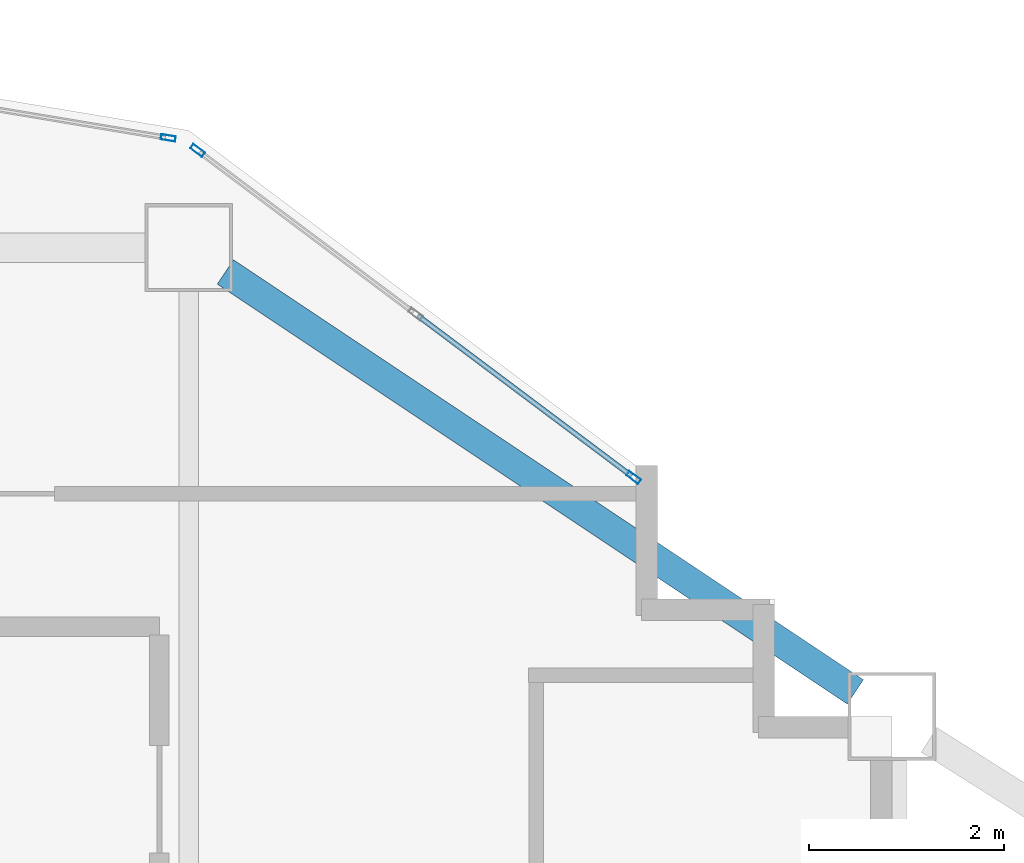
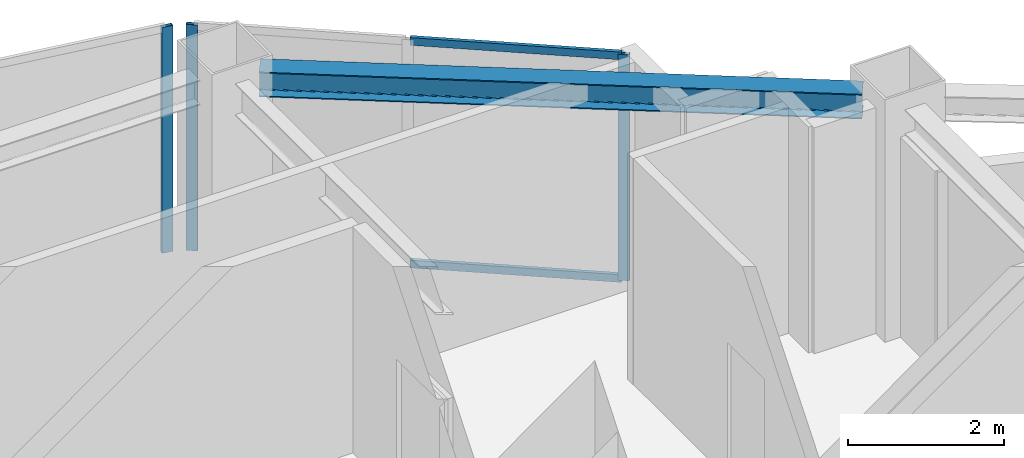
# One storey, part 3 of 11: 5 members, 1 beam, 2 elements without a shape of their own.
"""IFC4 building model written with IfcOpenShell, lengths in metres."""

from ifc_helpers import new_model, si_unit, direction, frame, origin, origin_2d, place, context, subcontext, project, spatial, hollow_rectangle, i_section, extrude, material, layer, layer_set, material_profile, profile_set, type_object, element, aggregate, save


model = new_model("IFC4")

# Units and contexts
model_context = context("Model", 3, precision=1e-05, world=origin(), true_north=direction((0.0, 1.0)))
body_context = subcontext(model_context, "Body", "Model", "MODEL_VIEW")
ifc_project = project(units=[si_unit("LENGTHUNIT", "METRE"), si_unit("AREAUNIT", "SQUARE_METRE"), si_unit("VOLUMEUNIT", "CUBIC_METRE"), si_unit("PLANEANGLEUNIT", "RADIAN"), si_unit("MASSUNIT", "GRAM", prefix="KILO")], contexts=[model_context])

# Site, building, storey
site_placement = place(None, origin())
site = spatial("IfcSite", under=ifc_project, at=site_placement, CompositionType="ELEMENT")
building_placement = place(site_placement, origin())
building = spatial("IfcBuilding", under=site, at=building_placement, Name="Haolan Belvedere Tower", CompositionType="ELEMENT")
storey_placement = place(building_placement, frame((0.0, 0.0, 226.800048828125)))
storey = spatial("IfcBuildingStorey", under=building, at=storey_placement, Name="L57", CompositionType="ELEMENT", Elevation=226.800048828125)

# Beam
ifc_material_1 = material(Name="Steel Q355B", Category="steel")
ifc_material_profile_1 = material_profile(ifc_material_1, i_section(OverallWidth=0.300048828125, OverallDepth=0.389892578125, WebThickness=0.010009765625, FlangeThickness=0.01611328125, FilletRadius=0.02197265625, at=origin_2d()), Name="Steel Q355B")
ifc_profile_set_1 = profile_set([ifc_material_profile_1], Name="Steel Q355B")
beam_type = type_object("IfcBeamType", Name="BM-HM390x300x10x16", PredefinedType="SPANDREL", material=ifc_profile_set_1)
beam_placement = place(storey_placement, frame((45.974365234375, 50.150390625, 3.344970703125), z_axis=(0.832050294338, -0.554700196225, 0.0), x_axis=(0.554700196225, 0.832050294338, 0.0)))
element("IfcBeam", 1, at=beam_placement, inside=storey, type_object=beam_type, Name="L57 spandrel girder MC-T3-N2-MC-T3-NE", PredefinedType="SPANDREL", context=body_context, shape_type="SweptSolid", body=[
    extrude(i_section(OverallWidth=0.300048828125, OverallDepth=0.389892578125, WebThickness=0.010009765625, FlangeThickness=0.01611328125, FilletRadius=0.02197265625, at=origin_2d()), origin(), (0.0, 0.0, 1.0), 7.75341796875),
])

# Curtain wall, members
ifc_material_2 = material(Name="Anodised champagne-silver aluminium 6063-T6 and Low-E glass", Category="aluminium")
ifc_layer = layer(ifc_material_2, 0.14990234375, Name="Anodised champagne-silver aluminium 6063-T6 and Low-E glass")
ifc_layer_set = layer_set([ifc_layer], Name="Anodised champagne-silver aluminium 6063-T6 and Low-E glass")
curtain_wall_type = type_object("IfcCurtainWallType", Name="CW-SYS-04", PredefinedType="NOTDEFINED", material=ifc_layer_set)
curtain_wall_1_placement = place(storey_placement, origin())
curtain_wall_1 = element("IfcCurtainWall", 2, at=curtain_wall_1_placement, inside=storey, type_object=curtain_wall_type, Name="L57 CW-SYS-04 ribbon curtain wall 20.1", PredefinedType="NOTDEFINED")
ifc_material_3 = material(Name="Anodised aluminium 6063-T6", Category="aluminium")
ifc_material_profile_2 = material_profile(ifc_material_3, hollow_rectangle(XDim=0.055908203125, YDim=0.14990234375, WallThickness=0.00390625, at=origin_2d()), Name="Anodised aluminium 6063-T6")
ifc_profile_set_2 = profile_set([ifc_material_profile_2], Name="Anodised aluminium 6063-T6")
member_type_1 = type_object("IfcMemberType", Name="CW-SYS-04-MUL", PredefinedType="MULLION", material=ifc_profile_set_2)
member_1_placement = place(storey_placement, frame((50.155517578125, 48.0458984375, 0.0), z_axis=(0.0, 0.0, 1.0), x_axis=(-0.600002837806, -0.799997871638, 0.0)))
member_1 = element("IfcMember", 3, at=member_1_placement, type_object=member_type_1, Name="CW-04 mullion 1", PredefinedType="MULLION", context=body_context, shape_type="SweptSolid", body=[
    extrude(hollow_rectangle(XDim=0.055908203125, YDim=0.14990234375, WallThickness=0.00390625, at=origin_2d()), origin(), (0.0, 0.0, 1.0), 3.5400390625),
])
member_2_placement = place(storey_placement, frame((45.68994140625, 51.39501953125, 0.0), z_axis=(0.0, 0.0, 1.0), x_axis=(-0.600002837806, -0.799997871638, 0.0)))
member_2 = element("IfcMember", 4, at=member_2_placement, type_object=member_type_1, Name="CW-04 mullion 3", PredefinedType="MULLION", context=body_context, shape_type="SweptSolid", body=[
    extrude(hollow_rectangle(XDim=0.055908203125, YDim=0.14990234375, WallThickness=0.00390625, at=origin_2d()), origin(), (0.0, 0.0, 1.0), 3.5400390625),
])

# Curtain wall, member
curtain_wall_2_placement = place(storey_placement, origin())
curtain_wall_2 = element("IfcCurtainWall", 5, at=curtain_wall_2_placement, inside=storey, type_object=curtain_wall_type, Name="L57 CW-SYS-04 ribbon curtain wall 21.1", PredefinedType="NOTDEFINED")
member_3_placement = place(storey_placement, frame((45.389892578125, 51.5234375, 0.0), z_axis=(0.0, 0.0, 1.0), x_axis=(-0.164405962825, -0.98639276122, 0.0)))
member_3 = element("IfcMember", 6, at=member_3_placement, type_object=member_type_1, Name="CW-04 mullion 1", PredefinedType="MULLION", context=body_context, shape_type="SweptSolid", body=[
    extrude(hollow_rectangle(XDim=0.055908203125, YDim=0.14990234375, WallThickness=0.00390625, at=origin_2d()), origin(), (0.0, 0.0, 1.0), 3.5400390625),
])
aggregate(curtain_wall_2, [member_3])

# Member
ifc_material_profile_3 = material_profile(ifc_material_3, hollow_rectangle(XDim=0.052001953125, YDim=0.1201171875, WallThickness=0.00390625, at=origin_2d()), Name="Anodised aluminium 6063-T6")
ifc_profile_set_3 = profile_set([ifc_material_profile_3], Name="Anodised aluminium 6063-T6")
member_type_2 = type_object("IfcMemberType", Name="CW-SYS-04-TRN", PredefinedType="USERDEFINED", material=ifc_profile_set_3)
member_4_placement = place(storey_placement, frame((50.13330078125, 48.0625, 0.02587890625), z_axis=(-0.800010710715, 0.59998571878, 0.0), x_axis=(-0.59998571878, -0.800010710715, 0.0)))
member_4 = element("IfcMember", 7, at=member_4_placement, type_object=member_type_2, Name="CW-04 transom 1.1", ObjectType="TRANSOM", PredefinedType="USERDEFINED", context=body_context, shape_type="SweptSolid", body=[
    extrude(hollow_rectangle(XDim=0.052001953125, YDim=0.1201171875, WallThickness=0.00390625, at=origin_2d()), origin(), (0.0, 0.0, 1.0), 2.7353515625),
])

member_5_placement = place(storey_placement, frame((50.13330078125, 48.0625, 3.513916015625), z_axis=(-0.800010710715, 0.59998571878, 0.0), x_axis=(-0.59998571878, -0.800010710715, 0.0)))
member_5 = element("IfcMember", 8, at=member_5_placement, type_object=member_type_2, Name="CW-04 transom 1.2", ObjectType="TRANSOM", PredefinedType="USERDEFINED", context=body_context, shape_type="SweptSolid", body=[
    extrude(hollow_rectangle(XDim=0.052001953125, YDim=0.1201171875, WallThickness=0.00390625, at=origin_2d()), origin(), (0.0, 0.0, 1.0), 2.7353515625),
])

aggregate(curtain_wall_1, [member_1, member_2, member_4, member_5])

save(model, "model.ifc")
